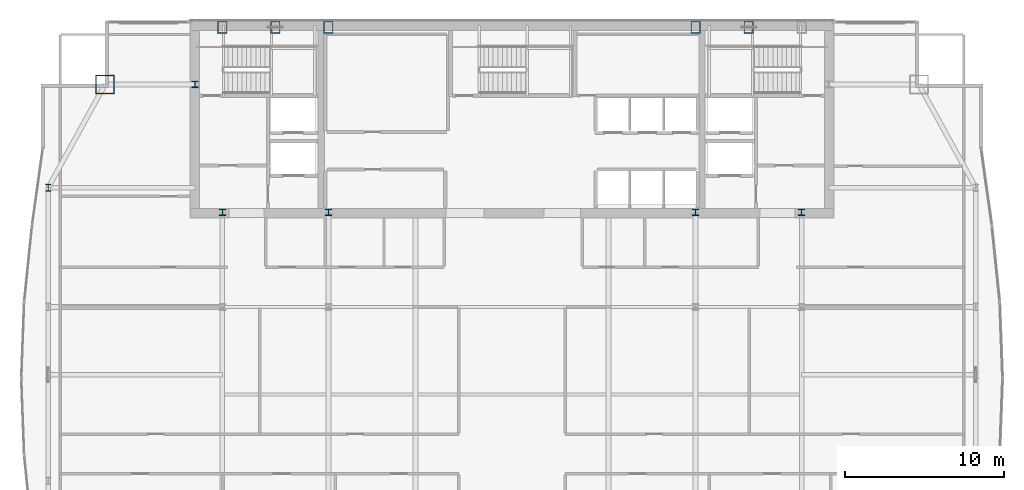
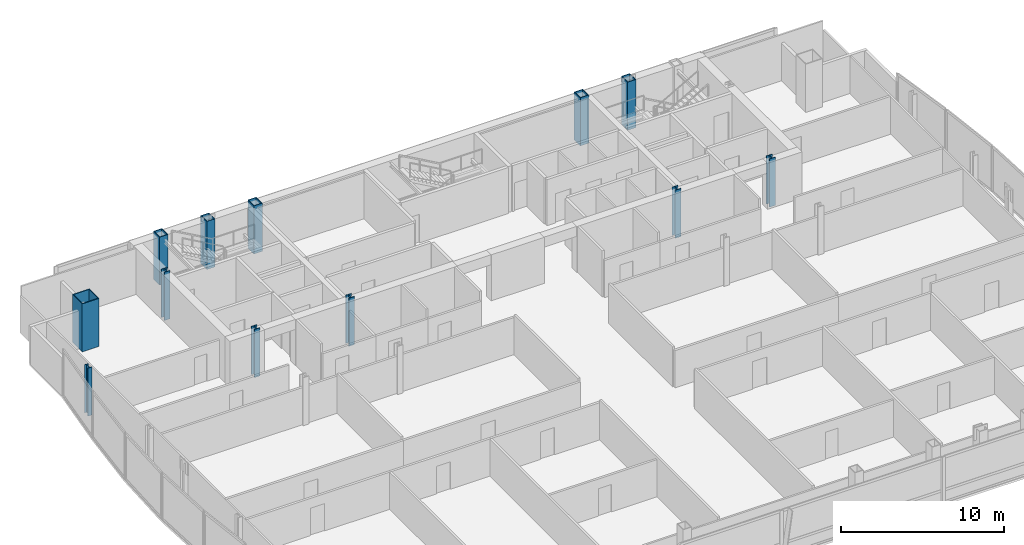
# One storey, part 3 of 32: 12 columns.
"""IFC4 building model written with IfcOpenShell, lengths in metres."""

from ifc_helpers import new_model, si_unit, direction, frame, origin, origin_2d, place, context, subcontext, project, spatial, hollow_rectangle, i_section, extrude, material, material_profile, profile_set, type_object, element, save


model = new_model("IFC4")

# Units and contexts
model_context = context("Model", 3, precision=1e-05, world=origin(), true_north=direction((0.0, 1.0)))
body_context = subcontext(model_context, "Body", "Model", "MODEL_VIEW")
ifc_project = project(units=[si_unit("LENGTHUNIT", "METRE"), si_unit("AREAUNIT", "SQUARE_METRE"), si_unit("VOLUMEUNIT", "CUBIC_METRE"), si_unit("PLANEANGLEUNIT", "RADIAN"), si_unit("MASSUNIT", "GRAM", prefix="KILO")], contexts=[model_context])

# Site, building, storey
site_placement = place(None, origin())
site = spatial("IfcSite", under=ifc_project, at=site_placement, CompositionType="ELEMENT")
building_placement = place(site_placement, origin())
building = spatial("IfcBuilding", under=site, at=building_placement, Name="Khoronbel Lancet Exchange", CompositionType="ELEMENT")
storey_placement = place(building_placement, frame((0.0, 0.0, 228.199951171875)))
storey = spatial("IfcBuildingStorey", under=building, at=storey_placement, Name="L58", CompositionType="ELEMENT", Elevation=228.199951171875)

# Columns
ifc_material_1 = material(Name="Steel S460", Category="steel")
ifc_material_profile_1 = material_profile(ifc_material_1, hollow_rectangle(XDim=0.60009765625, YDim=0.75, WallThickness=0.044921875, at=origin_2d()), Name="BOX 750x600x45")
ifc_profile_set_1 = profile_set([ifc_material_profile_1], Name="Steel S460")
column_type_1 = type_object("IfcColumnType", Name="COL-EC3", PredefinedType="COLUMN", material=ifc_profile_set_1)
for number, where, z_axis, x_axis, name in (
    (1, (18.22509765625, 53.280029296875, 0.0), (0.0, 0.0, 1.0), (1.0, 0.0, 0.0), "Structural column NC-W1 L58"),
    (2, (21.5625, 53.280029296875, 0.0), (0.0, 0.0, 1.0), (1.0, 0.0, 0.0), "Structural column NC-WM L58"),
    (3, (24.89990234375, 53.280029296875, 0.0), (0.0, 0.0, 1.0), (1.0, 0.0, 0.0), "Structural column NC-W2 L58"),
    (4, (48.0, 53.280029296875, 0.0), (0.0, 0.0, 1.0), (1.0, 0.0, 0.0), "Structural column NC-E1 L58"),
    (5, (51.33740234375, 53.280029296875, 0.0), (0.0, 0.0, 1.0), (1.0, 0.0, 0.0), "Structural column NC-EM L58"),
):
    element("IfcColumn", number, at=place(storey_placement, frame(where, z_axis=z_axis, x_axis=x_axis)), inside=storey, type_object=column_type_1, Name=name, PredefinedType="COLUMN", context=body_context, shape_type="SweptSolid", body=[
        extrude(hollow_rectangle(XDim=0.60009765625, YDim=0.75, WallThickness=0.044921875, at=origin_2d()), origin(), (0.0, 0.0, 1.0), 3.60009765625),
    ])
ifc_material_2 = material(Name="Steel S355", Category="steel")
ifc_material_profile_2 = material_profile(ifc_material_2, i_section(OverallWidth=0.406005859375, OverallDepth=0.416015625, WebThickness=0.02978515625, FlangeThickness=0.048095703125, at=origin_2d()), Name="HD 400x382")
ifc_profile_set_2 = profile_set([ifc_material_profile_2], Name="Steel S355")
column_type_2 = type_object("IfcColumnType", Name="COL-IC3", PredefinedType="COLUMN", material=ifc_profile_set_2)
for number, where, z_axis, x_axis, name in (
    (6, (16.5, 49.699951171875, 0.0), (0.0, 0.0, 1.0), (1.0, 0.0, 0.0), "Core-flank plumb transfer column CFW L58"),
    (7, (18.22509765625, 41.64990234375, 0.0), (0.0, 0.0, 1.0), (1.0, 0.0, 0.0), "Core-embedded steel column CTC1 L58"),
    (8, (24.89990234375, 41.64990234375, 0.0), (0.0, 0.0, 1.0), (1.0, 0.0, 0.0), "Core-embedded steel column CTC2 L58"),
    (9, (48.0, 41.64990234375, 0.0), (0.0, 0.0, 1.0), (1.0, 0.0, 0.0), "Core-embedded steel column CTC3 L58"),
    (10, (54.675048828125, 41.64990234375, 0.0), (0.0, 0.0, 1.0), (1.0, 0.0, 0.0), "Core-embedded steel column CTC4 L58"),
):
    element("IfcColumn", number, at=place(storey_placement, frame(where, z_axis=z_axis, x_axis=x_axis)), inside=storey, type_object=column_type_2, Name=name, PredefinedType="COLUMN", context=body_context, shape_type="SweptSolid", body=[
        extrude(i_section(OverallWidth=0.406005859375, OverallDepth=0.416015625, WebThickness=0.02978515625, FlangeThickness=0.048095703125, at=origin_2d()), origin(), (0.0, 0.0, 1.0), 3.60009765625),
    ])
ifc_material_profile_3 = material_profile(ifc_material_2, i_section(OverallWidth=0.300048828125, OverallDepth=0.449951171875, WebThickness=0.013916015625, FlangeThickness=0.02587890625, at=origin_2d()), Name="HEB 450")
ifc_profile_set_3 = profile_set([ifc_material_profile_3], Name="Steel S355")
column_type_3 = type_object("IfcColumnType", Name="COL-LC2", PredefinedType="COLUMN", material=ifc_profile_set_3)
column_1_placement = place(storey_placement, frame((7.27001953125, 43.199951171875, 0.0), z_axis=(0.0, 0.0, 1.0), x_axis=(1.0, 0.0, 0.0)))
element("IfcColumn", 11, at=column_1_placement, inside=storey, type_object=column_type_3, Name="Structural column WC-4 L58", PredefinedType="COLUMN", context=body_context, shape_type="SweptSolid", body=[
    extrude(i_section(OverallWidth=0.300048828125, OverallDepth=0.449951171875, WebThickness=0.013916015625, FlangeThickness=0.02587890625, at=origin_2d()), origin(), (0.0, 0.0, 1.0), 3.60009765625),
])
ifc_material_profile_4 = material_profile(ifc_material_1, hollow_rectangle(XDim=1.199951171875, YDim=1.199951171875, WallThickness=0.06005859375, at=origin_2d()), Name="BOX 1200x1200x60")
ifc_profile_set_4 = profile_set([ifc_material_profile_4], Name="Steel S460")
column_type_4 = type_object("IfcColumnType", Name="COL-MC5", PredefinedType="COLUMN", material=ifc_profile_set_4)
column_2_placement = place(storey_placement, frame((10.85009765625, 49.699951171875, 0.0), z_axis=(0.0, 0.0, 1.0), x_axis=(1.0, 0.0, 0.0)))
element("IfcColumn", 12, at=column_2_placement, inside=storey, type_object=column_type_4, Name="Structural column MC-NW L58", PredefinedType="COLUMN", context=body_context, shape_type="SweptSolid", body=[
    extrude(hollow_rectangle(XDim=1.199951171875, YDim=1.199951171875, WallThickness=0.06005859375, at=origin_2d()), origin(), (0.0, 0.0, 1.0), 3.60009765625),
])

save(model, "model.ifc")
